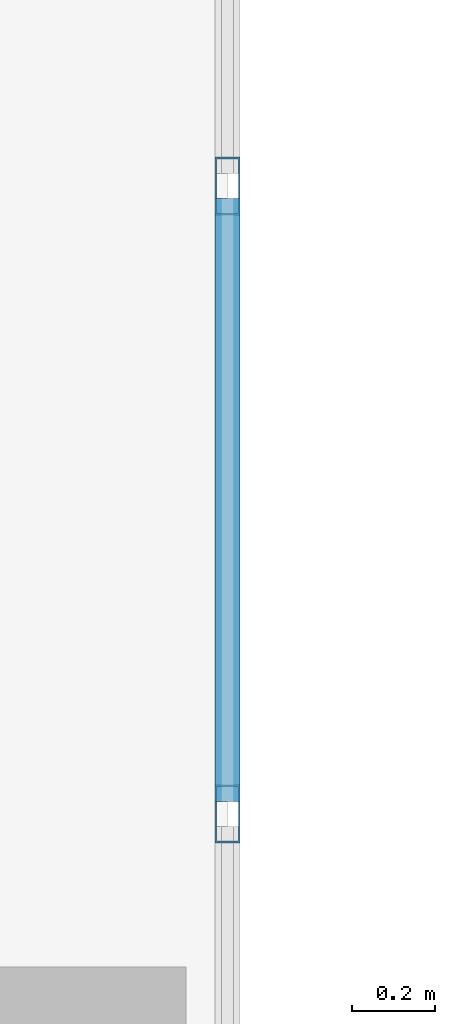
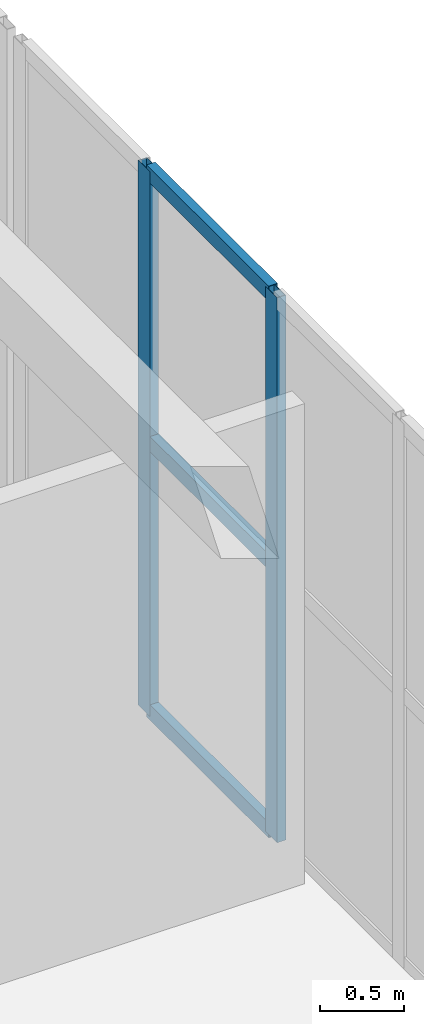
# One storey, part 46 of 81: 5 members, 1 element without a shape of its own.
"""IFC4 building model written with IfcOpenShell, lengths in metres."""

from ifc_helpers import new_model, si_unit, direction, frame, origin, origin_2d, place, context, subcontext, project, spatial, hollow_rectangle, extrude, material, layer, layer_set, material_profile, profile_set, type_object, element, aggregate, save


model = new_model("IFC4")

# Units and contexts
model_context = context("Model", 3, precision=1e-05, world=origin(), true_north=direction((0.0, 1.0)))
body_context = subcontext(model_context, "Body", "Model", "MODEL_VIEW")
ifc_project = project(units=[si_unit("LENGTHUNIT", "METRE"), si_unit("AREAUNIT", "SQUARE_METRE"), si_unit("VOLUMEUNIT", "CUBIC_METRE"), si_unit("PLANEANGLEUNIT", "RADIAN"), si_unit("MASSUNIT", "GRAM", prefix="KILO")], contexts=[model_context])

# Site, building, storey
site_placement = place(None, origin())
site = spatial("IfcSite", under=ifc_project, at=site_placement, CompositionType="ELEMENT")
building_placement = place(site_placement, origin())
building = spatial("IfcBuilding", under=site, at=building_placement, Name="Trelvath General Hospital", CompositionType="ELEMENT")
storey_placement = place(building_placement, frame((0.0, 0.0, 24.60009765625)))
storey = spatial("IfcBuildingStorey", under=building, at=storey_placement, Name="L06", CompositionType="ELEMENT", Elevation=24.60009765625)

# Curtain wall, members
ifc_material_1 = material(Name="Anodised aluminium and low-E glass", Category="aluminium")
ifc_layer = layer(ifc_material_1, 0.139892578125)
ifc_layer_set = layer_set([ifc_layer], Name="Anodised aluminium and low-E glass")
curtain_wall_type = type_object("IfcCurtainWallType", Name="CW CrystalCube 1664 396 14", PredefinedType="USERDEFINED", material=ifc_layer_set)
curtain_wall_placement = place(storey_placement, origin())
curtain_wall = element("IfcCurtainWall", 1, at=curtain_wall_placement, inside=storey, type_object=curtain_wall_type, Name="Crystal Cube Curtain Wall CUBE-E-T2 E2 L06", ObjectType="Unitised Glazed Curtain Wall", PredefinedType="USERDEFINED")
ifc_material_2 = material(Name="Anodised aluminium", Category="aluminium")
ifc_material_profile_1 = material_profile(ifc_material_2, hollow_rectangle(XDim=0.06005859375, YDim=0.139892578125, WallThickness=0.00390625, at=origin_2d()), Name="RHS60x140x4")
ifc_profile_set_1 = profile_set([ifc_material_profile_1], Name="Anodised aluminium")
member_type_1 = type_object("IfcMemberType", Name="CurtainMullion 60x140", PredefinedType="MULLION", material=ifc_profile_set_1)
member_1_placement = place(storey_placement, frame((108.39990234375, 65.607177734375, 0.0), z_axis=(0.0, 0.0, 1.0), x_axis=(1.0, 0.0, 0.0)))
member_1 = element("IfcMember", 2, at=member_1_placement, type_object=member_type_1, Name="CW-337 mullion 2", PredefinedType="MULLION", context=body_context, shape_type="SweptSolid", body=[
    extrude(hollow_rectangle(XDim=0.06005859375, YDim=0.139892578125, WallThickness=0.00390625, at=origin_2d()), origin(), (0.0, 0.0, 1.0), 3.9599609375),
])
member_2_placement = place(storey_placement, frame((108.39990234375, 64.094482421875, 0.0), z_axis=(0.0, 0.0, 1.0), x_axis=(1.0, 0.0, 0.0)))
member_2 = element("IfcMember", 3, at=member_2_placement, type_object=member_type_1, Name="CW-337 mullion 3", PredefinedType="MULLION", context=body_context, shape_type="SweptSolid", body=[
    extrude(hollow_rectangle(XDim=0.06005859375, YDim=0.139892578125, WallThickness=0.00390625, at=origin_2d()), origin(), (0.0, 0.0, 1.0), 3.9599609375),
])
ifc_material_3 = material(Name="Anodised aluminium", Category="aluminium")
ifc_material_profile_2 = material_profile(ifc_material_3, hollow_rectangle(XDim=0.06005859375, YDim=0.110107421875, WallThickness=0.00390625, at=origin_2d()), Name="RHS60x110x4")
ifc_profile_set_2 = profile_set([ifc_material_profile_2], Name="Anodised aluminium")
member_type_2 = type_object("IfcMemberType", Name="CurtainTransom 60x110", PredefinedType="USERDEFINED", material=ifc_profile_set_2)
member_3_placement = place(storey_placement, frame((108.39990234375, 65.577392578125, 0.02978515625), z_axis=(0.0, -1.0, 0.0), x_axis=(1.0, 0.0, 0.0)))
member_3 = element("IfcMember", 4, at=member_3_placement, type_object=member_type_2, Name="CW-337 transom 2.1", ObjectType="TRANSOM", PredefinedType="USERDEFINED", context=body_context, shape_type="SweptSolid", body=[
    extrude(hollow_rectangle(XDim=0.06005859375, YDim=0.110107421875, WallThickness=0.00390625, at=origin_2d()), origin(), (0.0, 0.0, 1.0), 1.452880859375),
])
member_4_placement = place(storey_placement, frame((108.39990234375, 65.577392578125, 1.97998046875), z_axis=(0.0, -1.0, 0.0), x_axis=(1.0, 0.0, 0.0)))
member_4 = element("IfcMember", 5, at=member_4_placement, type_object=member_type_2, Name="CW-337 transom 2.2", ObjectType="TRANSOM", PredefinedType="USERDEFINED", context=body_context, shape_type="SweptSolid", body=[
    extrude(hollow_rectangle(XDim=0.06005859375, YDim=0.110107421875, WallThickness=0.00390625, at=origin_2d()), origin(), (0.0, 0.0, 1.0), 1.452880859375),
])
member_5_placement = place(storey_placement, frame((108.39990234375, 65.577392578125, 3.929931640625), z_axis=(0.0, -1.0, 0.0), x_axis=(1.0, 0.0, 0.0)))
member_5 = element("IfcMember", 6, at=member_5_placement, type_object=member_type_2, Name="CW-337 transom 2.3", ObjectType="TRANSOM", PredefinedType="USERDEFINED", context=body_context, shape_type="SweptSolid", body=[
    extrude(hollow_rectangle(XDim=0.06005859375, YDim=0.110107421875, WallThickness=0.00390625, at=origin_2d()), origin(), (0.0, 0.0, 1.0), 1.452880859375),
])
aggregate(curtain_wall, [member_1, member_2, member_3, member_4, member_5])

save(model, "model.ifc")
